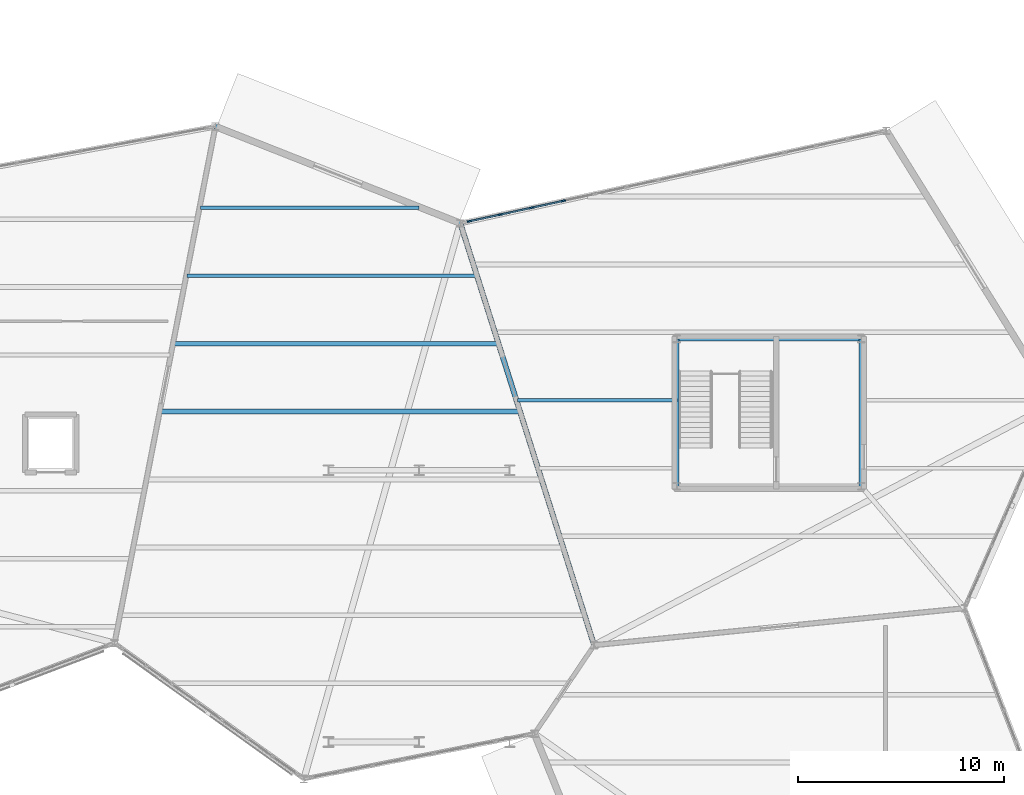
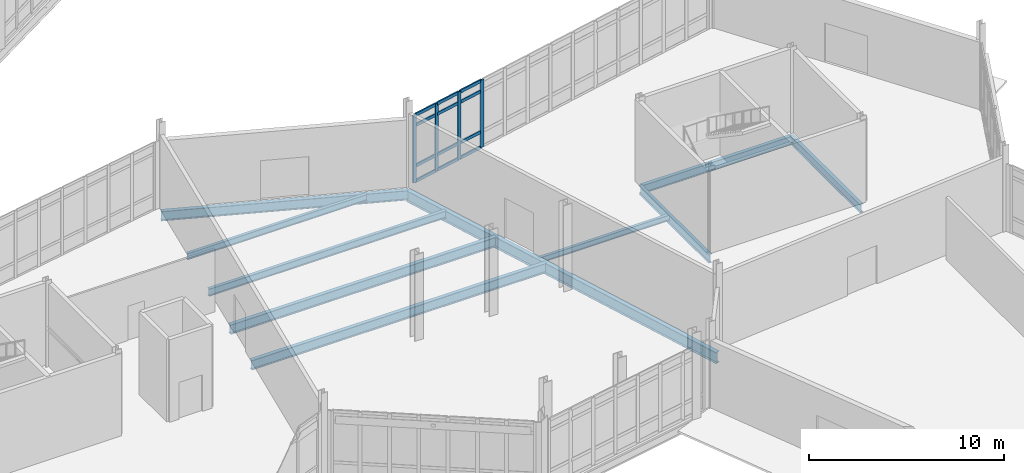
# One storey, part 59 of 113: 16 members, 10 beams, 1 element without a shape of its own.
"""IFC4 building model written with IfcOpenShell, lengths in metres."""

from ifc_helpers import new_model, si_unit, direction, frame, origin, origin_2d, place, context, subcontext, project, spatial, rectangle, i_section, extrude, material, material_profile, profile_set, type_object, element, aggregate, save


model = new_model("IFC4")

# Units and contexts
model_context = context("Model", 3, precision=1e-05, world=origin(), true_north=direction((0.0, 1.0)))
body_context = subcontext(model_context, "Body", "Model", "MODEL_VIEW")
ifc_project = project(units=[si_unit("LENGTHUNIT", "METRE"), si_unit("AREAUNIT", "SQUARE_METRE"), si_unit("VOLUMEUNIT", "CUBIC_METRE"), si_unit("PLANEANGLEUNIT", "RADIAN"), si_unit("MASSUNIT", "GRAM", prefix="KILO")], contexts=[model_context])

# Site, building, storey
site_placement = place(None, origin())
site = spatial("IfcSite", under=ifc_project, at=site_placement, CompositionType="ELEMENT")
building_placement = place(site_placement, origin())
building = spatial("IfcBuilding", under=site, at=building_placement, Name="Tameran Prism Museum", CompositionType="ELEMENT")
storey_placement = place(building_placement, origin())
storey = spatial("IfcBuildingStorey", under=building, at=storey_placement, Name="L00", CompositionType="ELEMENT", Elevation=0.0)

# Beams
ifc_material_1 = material(Name="Steel Grade 300PLUS (300 MPa)", Category="steel")
ifc_material_profile_1 = material_profile(ifc_material_1, i_section(OverallWidth=0.172119140625, OverallDepth=0.35888671875, WebThickness=0.008056640625, FlangeThickness=0.012939453125, FilletRadius=0.011474609375, at=origin_2d()))
ifc_profile_set_1 = profile_set([ifc_material_profile_1])
beam_type_1 = type_object("IfcBeamType", Name="BM-J360A", PredefinedType="JOIST", material=ifc_profile_set_1)
beam_1_placement = place(storey_placement, frame((140.26904296875, 34.10009765625, -0.41943359375), z_axis=(1.0, 0.0, 0.0), x_axis=(0.0, 1.0, 0.0)))
element("IfcBeam", 1, at=beam_1_placement, inside=storey, type_object=beam_type_1, Name="Floor Beam BM-0320", PredefinedType="JOIST", context=body_context, shape_type="SweptSolid", body=[
    extrude(i_section(OverallWidth=0.172119140625, OverallDepth=0.35888671875, WebThickness=0.008056640625, FlangeThickness=0.012939453125, FilletRadius=0.011474609375, at=origin_2d()), origin(), (0.0, 0.0, 1.0), 7.7509765625),
])
ifc_material_2 = material(Name="Steel Grade 300PLUS (300 MPa)", Category="steel")
ifc_material_profile_2 = material_profile(ifc_material_2, i_section(OverallWidth=0.177978515625, OverallDepth=0.403076171875, WebThickness=0.007568359375, FlangeThickness=0.010986328125, FilletRadius=0.011474609375, at=origin_2d()))
ifc_profile_set_2 = profile_set([ifc_material_profile_2])
beam_type_2 = type_object("IfcBeamType", Name="BM-J410B", PredefinedType="JOIST", material=ifc_profile_set_2)
beam_2_placement = place(storey_placement, frame((124.8701171875, 43.449951171875, -0.44140625), z_axis=(1.0, 0.0, 0.0), x_axis=(0.0, 1.0, 0.0)))
element("IfcBeam", 2, at=beam_2_placement, inside=storey, type_object=beam_type_2, Name="Floor Beam BM-0246", PredefinedType="JOIST", context=body_context, shape_type="SweptSolid", body=[
    extrude(i_section(OverallWidth=0.177978515625, OverallDepth=0.403076171875, WebThickness=0.007568359375, FlangeThickness=0.010986328125, FilletRadius=0.011474609375, at=origin_2d()), origin(), (0.0, 0.0, 1.0), 10.621826171875),
])
ifc_material_3 = material(Name="Steel Grade 300PLUS (300 MPa)", Category="steel")
ifc_material_profile_3 = material_profile(ifc_material_3, i_section(OverallWidth=0.18994140625, OverallDepth=0.4541015625, WebThickness=0.008544921875, FlangeThickness=0.0126953125, FilletRadius=0.011474609375, at=origin_2d()))
ifc_profile_set_3 = profile_set([ifc_material_profile_3])
beam_type_3 = type_object("IfcBeamType", Name="BM-J460B", PredefinedType="JOIST", material=ifc_profile_set_3)
beam_3_placement = place(storey_placement, frame((124.22509765625, 40.14990234375, -0.467041015625), z_axis=(1.0, 0.0, 0.0), x_axis=(0.0, 1.0, 0.0)))
element("IfcBeam", 3, at=beam_3_placement, inside=storey, type_object=beam_type_3, Name="Floor Beam BM-0245", PredefinedType="JOIST", context=body_context, shape_type="SweptSolid", body=[
    extrude(i_section(OverallWidth=0.18994140625, OverallDepth=0.4541015625, WebThickness=0.008544921875, FlangeThickness=0.0126953125, FilletRadius=0.011474609375, at=origin_2d()), origin(), (0.0, 0.0, 1.0), 14.0419921875),
])
ifc_material_4 = material(Name="Steel Grade 300PLUS (300 MPa)", Category="steel")
ifc_material_profile_4 = material_profile(ifc_material_4, i_section(OverallWidth=0.208984375, OverallDepth=0.528076171875, WebThickness=0.009521484375, FlangeThickness=0.01318359375, FilletRadius=0.013916015625, at=origin_2d()))
ifc_profile_set_4 = profile_set([ifc_material_profile_4])
beam_type_4 = type_object("IfcBeamType", Name="BM-SP530B", PredefinedType="SPANDREL", material=ifc_profile_set_4)
beam_4_placement = place(storey_placement, frame((156.97998046875, 29.919921875, -0.50390625), z_axis=(0.0, 1.0, 0.0), x_axis=(-1.0, 0.0, 0.0)))
element("IfcBeam", 4, at=beam_4_placement, inside=storey, type_object=beam_type_4, Name="Core Ring Beam CTB-0151", PredefinedType="SPANDREL", context=body_context, shape_type="SweptSolid", body=[
    extrude(i_section(OverallWidth=0.208984375, OverallDepth=0.528076171875, WebThickness=0.009521484375, FlangeThickness=0.01318359375, FilletRadius=0.013916015625, at=origin_2d()), origin(), (0.0, 0.0, 1.0), 7.16015625),
])
beam_5_placement = place(storey_placement, frame((156.97998046875, 37.080078125, -0.50390625), z_axis=(-1.0, 0.0, 0.0), x_axis=(0.0, -1.0, 0.0)))
element("IfcBeam", 5, at=beam_5_placement, inside=storey, type_object=beam_type_4, Name="Core Ring Beam CTB-0152", PredefinedType="SPANDREL", context=body_context, shape_type="SweptSolid", body=[
    extrude(i_section(OverallWidth=0.208984375, OverallDepth=0.528076171875, WebThickness=0.009521484375, FlangeThickness=0.01318359375, FilletRadius=0.013916015625, at=origin_2d()), origin(), (0.0, 0.0, 1.0), 8.9599609375),
])
beam_6_placement = place(storey_placement, frame((148.02001953125, 37.080078125, -0.50390625), z_axis=(0.0, -1.0, 0.0), x_axis=(1.0, 0.0, 0.0)))
element("IfcBeam", 6, at=beam_6_placement, inside=storey, type_object=beam_type_4, Name="Core Ring Beam CTB-0153", PredefinedType="SPANDREL", context=body_context, shape_type="SweptSolid", body=[
    extrude(i_section(OverallWidth=0.208984375, OverallDepth=0.528076171875, WebThickness=0.009521484375, FlangeThickness=0.01318359375, FilletRadius=0.013916015625, at=origin_2d()), origin(), (0.0, 0.0, 1.0), 7.16015625),
])
ifc_material_5 = material(Name="Steel Grade 300PLUS (300 MPa)", Category="steel")
ifc_material_profile_5 = material_profile(ifc_material_5, i_section(OverallWidth=0.22802734375, OverallDepth=0.60205078125, WebThickness=0.010498046875, FlangeThickness=0.014892578125, FilletRadius=0.013916015625, at=origin_2d()))
ifc_profile_set_5 = profile_set([ifc_material_profile_5])
beam_type_5 = type_object("IfcBeamType", Name="BM-SP610", PredefinedType="SPANDREL", material=ifc_profile_set_5)
beam_7_placement = place(storey_placement, frame((137.5, 42.699951171875, -0.541015625), z_axis=(-0.93008523402, 0.36734378647, 0.0), x_axis=(-0.36734378647, -0.93008523402, 0.0)))
element("IfcBeam", 7, at=beam_7_placement, inside=storey, type_object=beam_type_5, Name="Perimeter Spandrel SP-0042", PredefinedType="SPANDREL", context=body_context, shape_type="SweptSolid", body=[
    extrude(i_section(OverallWidth=0.22802734375, OverallDepth=0.60205078125, WebThickness=0.010498046875, FlangeThickness=0.014892578125, FilletRadius=0.013916015625, at=origin_2d()), origin(), (0.0, 0.0, 1.0), 12.79443359375),
])
ifc_material_6 = material(Name="Steel Grade 350 (350 MPa)", Category="steel")
ifc_material_profile_6 = material_profile(ifc_material_6, i_section(OverallWidth=0.25, OverallDepth=0.699951171875, WebThickness=0.010009765625, FlangeThickness=0.02001953125, at=origin_2d()))
ifc_profile_set_6 = profile_set([ifc_material_profile_6])
beam_type_6 = type_object("IfcBeamType", Name="BM-SP700", PredefinedType="SPANDREL", material=ifc_profile_set_6)
beam_8_placement = place(storey_placement, frame((144.0, 22.199951171875, -0.590087890625), z_axis=(-0.302243860734, 0.953230637699, 0.0), x_axis=(-0.953230637699, -0.302243860734, 0.0)))
element("IfcBeam", 8, at=beam_8_placement, inside=storey, type_object=beam_type_6, Name="Perimeter Spandrel SP-0046", PredefinedType="SPANDREL", context=body_context, shape_type="SweptSolid", body=[
    extrude(i_section(OverallWidth=0.25, OverallDepth=0.699951171875, WebThickness=0.010009765625, FlangeThickness=0.02001953125, at=origin_2d()), origin(), (0.0, 0.0, 1.0), 21.505859375),
])
ifc_material_7 = material(Name="Steel Grade 300PLUS (300 MPa)", Category="steel")
ifc_material_profile_7 = material_profile(ifc_material_7, i_section(OverallWidth=0.22802734375, OverallDepth=0.60693359375, WebThickness=0.01123046875, FlangeThickness=0.017333984375, FilletRadius=0.013916015625, at=origin_2d()))
ifc_profile_set_7 = profile_set([ifc_material_profile_7])
beam_type_7 = type_object("IfcBeamType", Name="BM-UB610B", PredefinedType="BEAM", material=ifc_profile_set_7)
beam_9_placement = place(storey_placement, frame((122.93701171875, 33.550048828125, -0.54345703125), z_axis=(1.0, 0.0, 0.0), x_axis=(0.0, 1.0, 0.0)))
element("IfcBeam", 9, at=beam_9_placement, inside=storey, type_object=beam_type_7, Name="Floor Beam BM-0243", PredefinedType="BEAM", context=body_context, shape_type="SweptSolid", body=[
    extrude(i_section(OverallWidth=0.22802734375, OverallDepth=0.60693359375, WebThickness=0.01123046875, FlangeThickness=0.017333984375, FilletRadius=0.013916015625, at=origin_2d()), origin(), (0.0, 0.0, 1.0), 17.421875),
])
beam_10_placement = place(storey_placement, frame((123.5810546875, 36.85009765625, -0.54345703125), z_axis=(1.0, 0.0, 0.0), x_axis=(0.0, 1.0, 0.0)))
element("IfcBeam", 10, at=beam_10_placement, inside=storey, type_object=beam_type_7, Name="Floor Beam BM-0244", PredefinedType="BEAM", context=body_context, shape_type="SweptSolid", body=[
    extrude(i_section(OverallWidth=0.22802734375, OverallDepth=0.60693359375, WebThickness=0.01123046875, FlangeThickness=0.017333984375, FilletRadius=0.013916015625, at=origin_2d()), origin(), (0.0, 0.0, 1.0), 15.73193359375),
])

# Curtain wall, members
ifc_material_8 = material(Name="Anodised Aluminium 6063-T6 and Cyclone Solar Glass", Category="aluminium")
curtain_wall_type = type_object("IfcCurtainWallType", Name="CW-FAC-2042x422", PredefinedType="USERDEFINED", material=ifc_material_8)
curtain_wall_placement = place(storey_placement, origin())
curtain_wall = element("IfcCurtainWall", 11, at=curtain_wall_placement, inside=storey, type_object=curtain_wall_type, Name="Unitised Curtain Wall CW-054", ObjectType="UNITISED CURTAIN WALL", PredefinedType="USERDEFINED")
ifc_material_9 = material(Name="Anodised Aluminium Alloy 6063-T6", Category="aluminium")
ifc_material_profile_8 = material_profile(ifc_material_9, rectangle(XDim=0.080078125, YDim=0.219970703125, at=origin_2d()))
ifc_profile_set_8 = profile_set([ifc_material_profile_8])
member_type_1 = type_object("IfcMemberType", Name="CW-MUL-D", PredefinedType="MULLION", material=ifc_profile_set_8)
member_1_placement = place(storey_placement, frame((137.940185546875, 42.79541015625, 0.0), z_axis=(0.0, 0.0, 1.0), x_axis=(-0.212454037801, 0.977171060676, 0.0)))
member_1 = element("IfcMember", 12, at=member_1_placement, type_object=member_type_1, Name="CW-054 mullion 1", PredefinedType="MULLION", context=body_context, shape_type="SweptSolid", body=[
    extrude(rectangle(XDim=0.080078125, YDim=0.219970703125, at=origin_2d()), origin(), (0.0, 0.0, 1.0), 4.219970703125),
])
member_2_placement = place(storey_placement, frame((139.43603515625, 43.120849609375, 0.0), z_axis=(0.0, 0.0, 1.0), x_axis=(-0.212454037801, 0.977171060676, 0.0)))
member_2 = element("IfcMember", 13, at=member_2_placement, type_object=member_type_1, Name="CW-054 mullion 2", PredefinedType="MULLION", context=body_context, shape_type="SweptSolid", body=[
    extrude(rectangle(XDim=0.080078125, YDim=0.219970703125, at=origin_2d()), origin(), (0.0, 0.0, 1.0), 4.219970703125),
])
member_3_placement = place(storey_placement, frame((140.97119140625, 43.45458984375, 0.0), z_axis=(0.0, 0.0, 1.0), x_axis=(-0.212454037801, 0.977171060676, 0.0)))
member_3 = element("IfcMember", 14, at=member_3_placement, type_object=member_type_1, Name="CW-054 mullion 3", PredefinedType="MULLION", context=body_context, shape_type="SweptSolid", body=[
    extrude(rectangle(XDim=0.080078125, YDim=0.219970703125, at=origin_2d()), origin(), (0.0, 0.0, 1.0), 4.219970703125),
])
member_4_placement = place(storey_placement, frame((142.50634765625, 43.788330078125, 0.0), z_axis=(0.0, 0.0, 1.0), x_axis=(-0.212454037801, 0.977171060676, 0.0)))
member_4 = element("IfcMember", 15, at=member_4_placement, type_object=member_type_1, Name="CW-054 mullion 4", PredefinedType="MULLION", context=body_context, shape_type="SweptSolid", body=[
    extrude(rectangle(XDim=0.080078125, YDim=0.219970703125, at=origin_2d()), origin(), (0.0, 0.0, 1.0), 4.219970703125),
])
ifc_material_10 = material(Name="Anodised Aluminium Alloy 6063-T6", Category="aluminium")
ifc_material_profile_9 = material_profile(ifc_material_10, rectangle(XDim=0.080078125, YDim=0.195068359375, at=origin_2d()))
ifc_profile_set_9 = profile_set([ifc_material_profile_9])
member_type_2 = type_object("IfcMemberType", Name="CW-TRN-D", PredefinedType="USERDEFINED", material=ifc_profile_set_9)
member_5_placement = place(storey_placement, frame((137.979248046875, 42.803955078125, 0.0400390625), z_axis=(0.977155097232, 0.21252744753, 0.0), x_axis=(-0.21252744753, 0.977155097232, 0.0)))
member_5 = element("IfcMember", 16, at=member_5_placement, type_object=member_type_2, Name="CW-054 transom 1.1", ObjectType="TRANSOM", PredefinedType="USERDEFINED", context=body_context, shape_type="SweptSolid", body=[
    extrude(rectangle(XDim=0.080078125, YDim=0.195068359375, at=origin_2d()), origin(), (0.0, 0.0, 1.0), 1.450927734375),
])
member_6_placement = place(storey_placement, frame((137.979248046875, 42.803955078125, 1.0), z_axis=(0.977155097232, 0.21252744753, 0.0), x_axis=(-0.21252744753, 0.977155097232, 0.0)))
member_6 = element("IfcMember", 17, at=member_6_placement, type_object=member_type_2, Name="CW-054 transom 1.2", ObjectType="TRANSOM", PredefinedType="USERDEFINED", context=body_context, shape_type="SweptSolid", body=[
    extrude(rectangle(XDim=0.080078125, YDim=0.195068359375, at=origin_2d()), origin(), (0.0, 0.0, 1.0), 1.450927734375),
])
member_7_placement = place(storey_placement, frame((137.979248046875, 42.803955078125, 3.5400390625), z_axis=(0.977155097232, 0.21252744753, 0.0), x_axis=(-0.21252744753, 0.977155097232, 0.0)))
member_7 = element("IfcMember", 18, at=member_7_placement, type_object=member_type_2, Name="CW-054 transom 1.3", ObjectType="TRANSOM", PredefinedType="USERDEFINED", context=body_context, shape_type="SweptSolid", body=[
    extrude(rectangle(XDim=0.080078125, YDim=0.195068359375, at=origin_2d()), origin(), (0.0, 0.0, 1.0), 1.450927734375),
])
member_8_placement = place(storey_placement, frame((137.979248046875, 42.803955078125, 4.179931640625), z_axis=(0.977155097232, 0.21252744753, 0.0), x_axis=(-0.21252744753, 0.977155097232, 0.0)))
member_8 = element("IfcMember", 19, at=member_8_placement, type_object=member_type_2, Name="CW-054 transom 1.4", ObjectType="TRANSOM", PredefinedType="USERDEFINED", context=body_context, shape_type="SweptSolid", body=[
    extrude(rectangle(XDim=0.080078125, YDim=0.195068359375, at=origin_2d()), origin(), (0.0, 0.0, 1.0), 1.450927734375),
])
member_9_placement = place(storey_placement, frame((139.475341796875, 43.129150390625, 0.0400390625), z_axis=(0.977148274016, 0.212558816771, 0.0), x_axis=(-0.212558816771, 0.977148274016, 0.0)))
member_9 = element("IfcMember", 20, at=member_9_placement, type_object=member_type_2, Name="CW-054 transom 2.1", ObjectType="TRANSOM", PredefinedType="USERDEFINED", context=body_context, shape_type="SweptSolid", body=[
    extrude(rectangle(XDim=0.080078125, YDim=0.195068359375, at=origin_2d()), origin(), (0.0, 0.0, 1.0), 1.490966796875),
])
member_10_placement = place(storey_placement, frame((139.475341796875, 43.129150390625, 1.0), z_axis=(0.977148274016, 0.212558816771, 0.0), x_axis=(-0.212558816771, 0.977148274016, 0.0)))
member_10 = element("IfcMember", 21, at=member_10_placement, type_object=member_type_2, Name="CW-054 transom 2.2", ObjectType="TRANSOM", PredefinedType="USERDEFINED", context=body_context, shape_type="SweptSolid", body=[
    extrude(rectangle(XDim=0.080078125, YDim=0.195068359375, at=origin_2d()), origin(), (0.0, 0.0, 1.0), 1.490966796875),
])
member_11_placement = place(storey_placement, frame((139.475341796875, 43.129150390625, 3.5400390625), z_axis=(0.977148274016, 0.212558816771, 0.0), x_axis=(-0.212558816771, 0.977148274016, 0.0)))
member_11 = element("IfcMember", 22, at=member_11_placement, type_object=member_type_2, Name="CW-054 transom 2.3", ObjectType="TRANSOM", PredefinedType="USERDEFINED", context=body_context, shape_type="SweptSolid", body=[
    extrude(rectangle(XDim=0.080078125, YDim=0.195068359375, at=origin_2d()), origin(), (0.0, 0.0, 1.0), 1.490966796875),
])
member_12_placement = place(storey_placement, frame((139.475341796875, 43.129150390625, 4.179931640625), z_axis=(0.977148274016, 0.212558816771, 0.0), x_axis=(-0.212558816771, 0.977148274016, 0.0)))
member_12 = element("IfcMember", 23, at=member_12_placement, type_object=member_type_2, Name="CW-054 transom 2.4", ObjectType="TRANSOM", PredefinedType="USERDEFINED", context=body_context, shape_type="SweptSolid", body=[
    extrude(rectangle(XDim=0.080078125, YDim=0.195068359375, at=origin_2d()), origin(), (0.0, 0.0, 1.0), 1.490966796875),
])
member_13_placement = place(storey_placement, frame((141.010498046875, 43.463134765625, 0.0400390625), z_axis=(0.977182275617, 0.212402448714, 0.0), x_axis=(-0.212402448714, 0.977182275617, 0.0)))
member_13 = element("IfcMember", 24, at=member_13_placement, type_object=member_type_2, Name="CW-054 transom 3.1", ObjectType="TRANSOM", PredefinedType="USERDEFINED", context=body_context, shape_type="SweptSolid", body=[
    extrude(rectangle(XDim=0.080078125, YDim=0.195068359375, at=origin_2d()), origin(), (0.0, 0.0, 1.0), 1.49072265625),
])
member_14_placement = place(storey_placement, frame((141.010498046875, 43.463134765625, 1.0), z_axis=(0.977182275617, 0.212402448714, 0.0), x_axis=(-0.212402448714, 0.977182275617, 0.0)))
member_14 = element("IfcMember", 25, at=member_14_placement, type_object=member_type_2, Name="CW-054 transom 3.2", ObjectType="TRANSOM", PredefinedType="USERDEFINED", context=body_context, shape_type="SweptSolid", body=[
    extrude(rectangle(XDim=0.080078125, YDim=0.195068359375, at=origin_2d()), origin(), (0.0, 0.0, 1.0), 1.49072265625),
])
member_15_placement = place(storey_placement, frame((141.010498046875, 43.463134765625, 3.5400390625), z_axis=(0.977182275617, 0.212402448714, 0.0), x_axis=(-0.212402448714, 0.977182275617, 0.0)))
member_15 = element("IfcMember", 26, at=member_15_placement, type_object=member_type_2, Name="CW-054 transom 3.3", ObjectType="TRANSOM", PredefinedType="USERDEFINED", context=body_context, shape_type="SweptSolid", body=[
    extrude(rectangle(XDim=0.080078125, YDim=0.195068359375, at=origin_2d()), origin(), (0.0, 0.0, 1.0), 1.49072265625),
])
member_16_placement = place(storey_placement, frame((141.010498046875, 43.463134765625, 4.179931640625), z_axis=(0.977182275617, 0.212402448714, 0.0), x_axis=(-0.212402448714, 0.977182275617, 0.0)))
member_16 = element("IfcMember", 27, at=member_16_placement, type_object=member_type_2, Name="CW-054 transom 3.4", ObjectType="TRANSOM", PredefinedType="USERDEFINED", context=body_context, shape_type="SweptSolid", body=[
    extrude(rectangle(XDim=0.080078125, YDim=0.195068359375, at=origin_2d()), origin(), (0.0, 0.0, 1.0), 1.49072265625),
])
aggregate(curtain_wall, [member_1, member_2, member_3, member_4, member_5, member_6, member_7, member_8, member_9, member_10, member_11, member_12, member_13, member_14, member_15, member_16])

save(model, "model.ifc")
